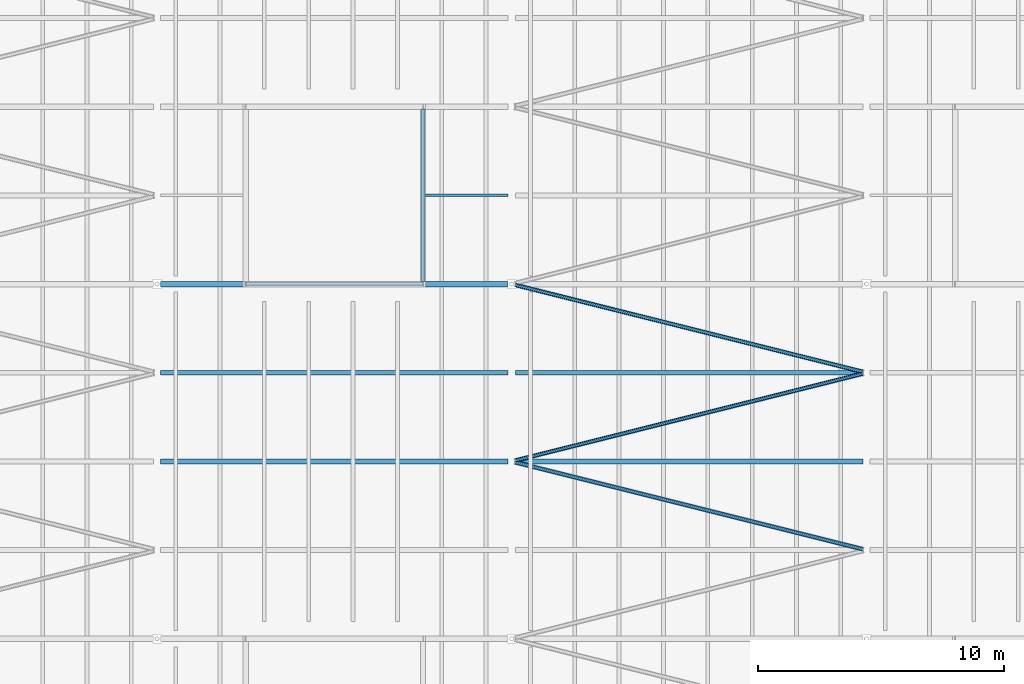
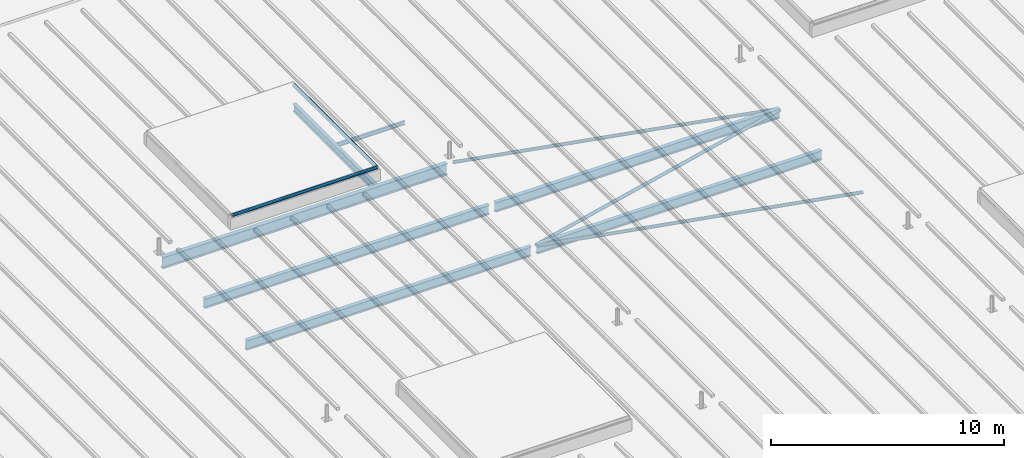
# One storey, part 29 of 120: 7 beams, 5 members.
"""IFC4 building model written with IfcOpenShell, lengths in metres."""

import ifcopenshell
import ifcopenshell.guid

model = None  # the IFC model being written
_history = None  # IfcOwnerHistory: only IFC2X3 demands one
_inside = {}  # id of a spatial element -> (the spatial element, [elements in it])
_under = {}  # id of a project, library or spatial element -> (it, [spatial elements below it])
_declared = {}  # id of a project -> (the project, [libraries it declares])
_typed = {}  # id of a type object -> (the type object, [elements of that type])
_made_of = {}  # id of a material, layer set ... -> (it, [elements and type objects made of it])


def new_model(schema):
    """Start an empty IFC model of exactly this schema.

    Asked for "IFC4X3", IfcOpenShell would pick the latest addendum, in which some entities
    have other attributes; the version numbers below select the first issue.
    IFC2X3 requires an IfcOwnerHistory on every rooted entity: one is made here for all.
    """
    global model, _history
    if schema == "IFC4X3":
        model = ifcopenshell.file(schema_version=(4, 3, 0, 0))
    else:
        model = ifcopenshell.file(schema=schema)
    _inside.clear()
    _under.clear()
    _declared.clear()
    _typed.clear()
    _made_of.clear()
    _history = None
    if model.schema == "IFC2X3":
        org = make("IfcOrganization", Name="unknown")
        user = make(
            "IfcPersonAndOrganization",
            ThePerson=make("IfcPerson", FamilyName="unknown"),
            TheOrganization=org,
        )
        app = make(
            "IfcApplication",
            ApplicationDeveloper=org,
            Version="unknown",
            ApplicationFullName="unknown",
            ApplicationIdentifier="unknown",
        )
        _history = make(
            "IfcOwnerHistory",
            OwningUser=user,
            OwningApplication=app,
            ChangeAction="ADDED",
            CreationDate=0,
        )
    return model


def make(cls, **values):
    """One entity of the class cls with the attributes given. An attribute that is None is left unset."""
    return model.create_entity(
        cls, **{name: value for name, value in values.items() if value is not None}
    )


def rooted(cls, **values):
    """An entity with a GlobalId (a new one), such as an element, a storey or a relation."""
    return make(cls, GlobalId=ifcopenshell.guid.new(), OwnerHistory=_history, **values)


def si_unit(unit_type, name, prefix=None):
    """IfcSIUnit, for example si_unit("LENGTHUNIT", "METRE", prefix="MILLI")."""
    return make("IfcSIUnit", UnitType=unit_type, Prefix=prefix, Name=name)


def assignment(units):
    """IfcUnitAssignment: the units of a project."""
    return None if units is None else make("IfcUnitAssignment", Units=units)


def point(xyz):
    """IfcCartesianPoint."""
    return None if xyz is None else make("IfcCartesianPoint", Coordinates=xyz)


def direction(xyz):
    """IfcDirection."""
    return None if xyz is None else make("IfcDirection", DirectionRatios=xyz)


def frame(location, z_axis=None, x_axis=None):
    """IfcAxis2Placement3D, a coordinate frame: its origin and axes. An axis left out is left unset."""
    return make(
        "IfcAxis2Placement3D",
        Location=point(location),
        Axis=direction(z_axis),
        RefDirection=direction(x_axis),
    )


def frame_2d(location, x_axis=None):
    """IfcAxis2Placement2D, a coordinate frame in the plane: its origin and x axis."""
    return make(
        "IfcAxis2Placement2D", Location=point(location), RefDirection=direction(x_axis)
    )


def origin():
    """The frame at (0, 0, 0) with its axes left unset."""
    return frame((0.0, 0.0, 0.0))


def origin_2d():
    """The frame at (0, 0) in the plane with its x axis left unset."""
    return frame_2d((0.0, 0.0))


def place(relative_to, where):
    """IfcLocalPlacement: puts the frame where relative to a parent placement (None: the world)."""
    return make(
        "IfcLocalPlacement", PlacementRelTo=relative_to, RelativePlacement=where
    )


def context(
    kind, dimensions, precision=None, world=None, true_north=None, identifier=None
):
    """IfcGeometricRepresentationContext, for example the 3D "Model" context."""
    return make(
        "IfcGeometricRepresentationContext",
        ContextIdentifier=identifier,
        ContextType=kind,
        CoordinateSpaceDimension=dimensions,
        Precision=precision,
        WorldCoordinateSystem=world,
        TrueNorth=true_north,
    )


def subcontext(parent, identifier, kind, view, scale=None):
    """IfcGeometricRepresentationSubContext, for example "Body" below "Model"."""
    return make(
        "IfcGeometricRepresentationSubContext",
        ContextIdentifier=identifier,
        ContextType=kind,
        ParentContext=parent,
        TargetScale=scale,
        TargetView=view,
    )


def project(units=None, contexts=None):
    """IfcProject with its units and contexts."""
    return rooted(
        "IfcProject",
        Name="project",
        RepresentationContexts=contexts,
        UnitsInContext=assignment(units),
    )


def spatial(cls, under=None, at=None, **own):
    """A site, building, storey or space (cls), placed at a placement, below another one or the project."""
    s = rooted(cls, ObjectPlacement=at, **own)
    if under is not None:
        _under.setdefault(under.id(), (under, []))[1].append(s)
    return s


def profile(cls, at=None, kind="AREA", **sizes):
    """A parametric profile (cls). Its sizes go by their IFC names, for example OverallWidth=200.0."""
    return make(cls, ProfileType=kind, Position=at, **sizes)


def hollow_circle(**sizes):
    """IfcCircleHollowProfileDef."""
    return profile("IfcCircleHollowProfileDef", **sizes)


def i_section(**sizes):
    """IfcIShapeProfileDef."""
    return profile("IfcIShapeProfileDef", **sizes)


def extrude(swept, where, along, depth):
    """IfcExtrudedAreaSolid: the profile swept, set in the frame where, extruded along a direction by depth."""
    return make(
        "IfcExtrudedAreaSolid",
        SweptArea=swept,
        Position=where,
        ExtrudedDirection=direction(along),
        Depth=depth,
    )


def shape(context_of_items, identifier, shape_type, items):
    """IfcShapeRepresentation: the items that make up one representation, for example the "Body"."""
    return make(
        "IfcShapeRepresentation",
        ContextOfItems=context_of_items,
        RepresentationIdentifier=identifier,
        RepresentationType=shape_type,
        Items=items,
    )


def material(Name=None, Category=None):
    """IfcMaterial."""
    return make("IfcMaterial", Name=Name, Category=Category)


def material_profile(
    of_material, cross_section, Name=None, Category=None, Priority=None
):
    """IfcMaterialProfile: a cross section and its material."""
    return make(
        "IfcMaterialProfile",
        Name=Name,
        Material=of_material,
        Profile=cross_section,
        Priority=Priority,
        Category=Category,
    )


def profile_set(profiles, Name=None, composite=None):
    """IfcMaterialProfileSet."""
    return make(
        "IfcMaterialProfileSet",
        Name=Name,
        MaterialProfiles=profiles,
        CompositeProfile=composite,
    )


def made_of(thing, what):
    """Note that an element or type object is made of a material, layer set ...; save() writes the relation."""
    if what is not None:
        _made_of.setdefault(what.id(), (what, []))[1].append(thing)
    return thing


def type_object(cls, material=None, **own):
    """A type object (cls), such as IfcWallType, which elements share."""
    return made_of(rooted(cls, **own), material)


def element(
    cls,
    number,
    at=None,
    inside=None,
    cuts=None,
    type_object=None,
    material=None,
    context=None,
    identifier="Body",
    shape_type=None,
    held_by="IfcProductDefinitionShape",
    body=None,
    shapes=None,
    **own,
):
    """One element of the class cls, such as IfcWall. Its Tag is "e" and its number.

    at: its placement. inside: the storey or other place that contains it. cuts: it is an
    opening in that element (IfcRelVoidsElement). A single representation is given by context,
    identifier, shape_type and body (its items); several are given by shapes. held_by: the class
    of the entity that holds the representations. save() writes the other relations.
    """
    e = rooted(cls, Tag="e%d" % number, ObjectPlacement=at, **own)
    if body is not None:
        shapes = [shape(context, identifier, shape_type, body)]
    if shapes is not None:
        e.Representation = make(held_by, Representations=shapes)
    if inside is not None:
        _inside.setdefault(inside.id(), (inside, []))[1].append(e)
    if cuts is not None:
        rooted(
            "IfcRelVoidsElement", RelatingBuildingElement=cuts, RelatedOpeningElement=e
        )
    if type_object is not None:
        _typed.setdefault(type_object.id(), (type_object, []))[1].append(e)
    return made_of(e, material)


def aggregate(whole, parts):
    """IfcRelAggregates: a whole, such as a stair, and the parts it consists of."""
    return rooted("IfcRelAggregates", RelatingObject=whole, RelatedObjects=parts)


def save(model, path):
    """Write the relations noted so far, then the file.

    IfcRelAggregates (storeys below a building ...), IfcRelContainedInSpatialStructure (elements
    in a storey), IfcRelDefinesByType, IfcRelAssociatesMaterial and IfcRelDeclares: one each for
    every whole, place, type object, material and project.
    """
    for whole, parts in _under.values():
        aggregate(whole, parts)
    for where, things in _inside.values():
        rooted(
            "IfcRelContainedInSpatialStructure",
            RelatedElements=things,
            RelatingStructure=where,
        )
    for kind, things in _typed.values():
        rooted("IfcRelDefinesByType", RelatedObjects=things, RelatingType=kind)
    for what, things in _made_of.values():
        rooted("IfcRelAssociatesMaterial", RelatedObjects=things, RelatingMaterial=what)
    for by, libraries in _declared.values():
        rooted("IfcRelDeclares", RelatingContext=by, RelatedDefinitions=libraries)
    model.write(path)


model = new_model("IFC4")

# Units and contexts
model_context = context("Model", 3, precision=1e-05, world=origin(), true_north=direction((0.0, 1.0)))
body_context = subcontext(model_context, "Body", "Model", "MODEL_VIEW")
ifc_project = project(units=[si_unit("LENGTHUNIT", "METRE"), si_unit("AREAUNIT", "SQUARE_METRE"), si_unit("VOLUMEUNIT", "CUBIC_METRE"), si_unit("PLANEANGLEUNIT", "RADIAN"), si_unit("MASSUNIT", "GRAM", prefix="KILO")], contexts=[model_context])

# Site, building, storey
site_placement = place(None, origin())
site = spatial("IfcSite", under=ifc_project, at=site_placement, CompositionType="ELEMENT")
building_placement = place(site_placement, origin())
building = spatial("IfcBuilding", under=site, at=building_placement, Name="Kupolbacken Congress Centre", CompositionType="ELEMENT")
storey_placement = place(building_placement, frame((0.0, 0.0, 21.60009765625)))
storey = spatial("IfcBuildingStorey", under=building, at=storey_placement, Name="L06", CompositionType="ELEMENT", Elevation=21.60009765625)

# Beams
ifc_material_1 = material(Name="Steel S355", Category="steel")
ifc_material_profile_1 = material_profile(ifc_material_1, i_section(OverallWidth=0.10009765625, OverallDepth=0.199951171875, WebThickness=0.005615234375, FlangeThickness=0.008544921875, FilletRadius=0.011962890625, at=origin_2d()), Name="IPE 200")
ifc_profile_set_1 = profile_set([ifc_material_profile_1], Name="Steel S355")
beam_type_1 = type_object("IfcBeamType", Name="B01 beam IPE 200", PredefinedType="BEAM", material=ifc_profile_set_1)
beam_1_placement = place(storey_placement, frame((118.89990234375, 100.800048828125, -0.10009765625), z_axis=(1.0, 0.0, 0.0), x_axis=(0.0, 1.0, 0.0)))
element("IfcBeam", 1, at=beam_1_placement, inside=storey, type_object=beam_type_1, Name="HR/P16-02-1", PredefinedType="BEAM", context=body_context, shape_type="SweptSolid", body=[
    extrude(i_section(OverallWidth=0.10009765625, OverallDepth=0.199951171875, WebThickness=0.005615234375, FlangeThickness=0.008544921875, FilletRadius=0.011962890625, at=origin_2d()), origin(), (0.0, 0.0, 1.0), 3.35498046875),
])
ifc_material_2 = material(Name="Steel S355", Category="steel")
ifc_material_profile_2 = material_profile(ifc_material_2, i_section(OverallWidth=0.179931640625, OverallDepth=0.39990234375, WebThickness=0.008544921875, FlangeThickness=0.013427734375, FilletRadius=0.02099609375, at=origin_2d()), Name="IPE 400")
ifc_profile_set_2 = profile_set([ifc_material_profile_2], Name="Steel S355")
beam_type_2 = type_object("IfcBeamType", Name="B07 beam IPE 400", PredefinedType="BEAM", material=ifc_profile_set_2)
beam_2_placement = place(storey_placement, frame((118.800048828125, 97.300048828125, -0.2001953125), z_axis=(0.0, 1.0, 0.0), x_axis=(-1.0, 0.0, 0.0)))
element("IfcBeam", 2, at=beam_2_placement, inside=storey, type_object=beam_type_2, Name="HR/CT3E", PredefinedType="BEAM", context=body_context, shape_type="SweptSolid", body=[
    extrude(i_section(OverallWidth=0.179931640625, OverallDepth=0.39990234375, WebThickness=0.008544921875, FlangeThickness=0.013427734375, FilletRadius=0.02099609375, at=origin_2d()), origin(), (0.0, 0.0, 1.0), 7.0),
])
ifc_material_3 = material(Name="Steel S355", Category="steel")
ifc_material_profile_3 = material_profile(ifc_material_3, i_section(OverallWidth=0.199951171875, OverallDepth=0.5, WebThickness=0.01025390625, FlangeThickness=0.01611328125, FilletRadius=0.02099609375, at=origin_2d()), Name="IPE 500")
ifc_profile_set_3 = profile_set([ifc_material_profile_3], Name="Steel S355")
beam_type_3 = type_object("IfcBeamType", Name="B09 beam IPE 500", PredefinedType="BEAM", material=ifc_profile_set_3)
beam_3_placement = place(storey_placement, frame((108.14501953125, 90.0, -0.25), z_axis=(1.0, 0.0, 0.0), x_axis=(0.0, 1.0, 0.0)))
element("IfcBeam", 3, at=beam_3_placement, inside=storey, type_object=beam_type_3, Name="HR/P13-02", PredefinedType="BEAM", context=body_context, shape_type="SweptSolid", body=[
    extrude(i_section(OverallWidth=0.199951171875, OverallDepth=0.5, WebThickness=0.01025390625, FlangeThickness=0.01611328125, FilletRadius=0.02099609375, at=origin_2d()), origin(), (0.0, 0.0, 1.0), 14.10986328125),
])
beam_4_placement = place(storey_placement, frame((122.544921875, 90.0, -0.25), z_axis=(1.0, 0.0, 0.0), x_axis=(0.0, 1.0, 0.0)))
element("IfcBeam", 4, at=beam_4_placement, inside=storey, type_object=beam_type_3, Name="HR/P13-03", PredefinedType="BEAM", context=body_context, shape_type="SweptSolid", body=[
    extrude(i_section(OverallWidth=0.199951171875, OverallDepth=0.5, WebThickness=0.01025390625, FlangeThickness=0.01611328125, FilletRadius=0.02099609375, at=origin_2d()), origin(), (0.0, 0.0, 1.0), 14.110107421875),
])
beam_5_placement = place(storey_placement, frame((108.14501953125, 93.60009765625, -0.25), z_axis=(1.0, 0.0, 0.0), x_axis=(0.0, 1.0, 0.0)))
element("IfcBeam", 5, at=beam_5_placement, inside=storey, type_object=beam_type_3, Name="HR/P14-02", PredefinedType="BEAM", context=body_context, shape_type="SweptSolid", body=[
    extrude(i_section(OverallWidth=0.199951171875, OverallDepth=0.5, WebThickness=0.01025390625, FlangeThickness=0.01611328125, FilletRadius=0.02099609375, at=origin_2d()), origin(), (0.0, 0.0, 1.0), 14.10986328125),
])
beam_6_placement = place(storey_placement, frame((122.544921875, 93.60009765625, -0.25), z_axis=(1.0, 0.0, 0.0), x_axis=(0.0, 1.0, 0.0)))
element("IfcBeam", 6, at=beam_6_placement, inside=storey, type_object=beam_type_3, Name="HR/P14-03", PredefinedType="BEAM", context=body_context, shape_type="SweptSolid", body=[
    extrude(i_section(OverallWidth=0.199951171875, OverallDepth=0.5, WebThickness=0.01025390625, FlangeThickness=0.01611328125, FilletRadius=0.02099609375, at=origin_2d()), origin(), (0.0, 0.0, 1.0), 14.110107421875),
])
ifc_material_4 = material(Name="Steel S355", Category="steel")
ifc_material_profile_4 = material_profile(ifc_material_4, i_section(OverallWidth=0.219970703125, OverallDepth=0.60009765625, WebThickness=0.011962890625, FlangeThickness=0.01904296875, FilletRadius=0.02392578125, at=origin_2d()), Name="IPE 600")
ifc_profile_set_4 = profile_set([ifc_material_profile_4], Name="Steel S355")
beam_type_4 = type_object("IfcBeamType", Name="B11 beam IPE 600", PredefinedType="BEAM", material=ifc_profile_set_4)
beam_7_placement = place(storey_placement, frame((108.14501953125, 97.199951171875, -0.300048828125), z_axis=(1.0, 0.0, 0.0), x_axis=(0.0, 1.0, 0.0)))
element("IfcBeam", 7, at=beam_7_placement, inside=storey, type_object=beam_type_4, Name="HR/X15-02", PredefinedType="BEAM", context=body_context, shape_type="SweptSolid", body=[
    extrude(i_section(OverallWidth=0.219970703125, OverallDepth=0.60009765625, WebThickness=0.011962890625, FlangeThickness=0.01904296875, FilletRadius=0.02392578125, at=origin_2d()), origin(), (0.0, 0.0, 1.0), 14.10986328125),
])

# Members
ifc_material_5 = material(Name="Steel S355", Category="steel")
ifc_material_profile_5 = material_profile(ifc_material_5, hollow_circle(Radius=0.084228515625, WallThickness=0.008056640625, at=origin_2d()), Name="CHS 168.3 x 8")
ifc_profile_set_5 = profile_set([ifc_material_profile_5], Name="Steel S355")
member_type = type_object("IfcMemberType", Name="M21 brace CHS 168.3 x 8", PredefinedType="BRACE", material=ifc_profile_set_5)
for number, where, z_axis, x_axis, name in (
    (8, (136.659423828125, 86.43505859375, -0.084228515625), (-0.970140526498, 0.24254351949, 0.0), (-0.24254351949, -0.970140526498, 0.0), "HR/RB/03-12"),
    (9, (122.540771484375, 90.03515625, -0.084228515625), (0.970140526498, 0.24254351949, 0.0), (-0.24254351949, 0.970140526498, 0.0), "HR/RB/03-13"),
    (10, (136.659423828125, 93.63525390625, -0.084228515625), (-0.970144473737, 0.242527730535, 0.0), (-0.242527730535, -0.970144473737, 0.0), "HR/RB/03-14"),
):
    element("IfcMember", number, at=place(storey_placement, frame(where, z_axis=z_axis, x_axis=x_axis)), inside=storey, type_object=member_type, Name=name, PredefinedType="BRACE", context=body_context, shape_type="SweptSolid", body=[
        extrude(hollow_circle(Radius=0.084228515625, WallThickness=0.008056640625, at=origin_2d()), origin(), (0.0, 0.0, 1.0), 14.55322265625),
    ])
member_1_placement = place(storey_placement, frame((111.60009765625, 97.199951171875, 0.944091796875), z_axis=(1.0, 0.0, 0.0), x_axis=(0.0, 1.0, 0.0)))
element("IfcMember", 11, at=member_1_placement, inside=storey, type_object=member_type, Name="RD/RL3/FS", PredefinedType="BRACE", context=body_context, shape_type="SweptSolid", body=[
    extrude(hollow_circle(Radius=0.084228515625, WallThickness=0.008056640625, at=origin_2d()), origin(), (0.0, 0.0, 1.0), 7.199951171875),
])
member_2_placement = place(storey_placement, frame((118.800048828125, 97.274169921875, 0.944091796875), z_axis=(0.0, 1.0, 0.0), x_axis=(-1.0, 0.0, 0.0)))
element("IfcMember", 12, at=member_2_placement, inside=storey, type_object=member_type, Name="RD/RL3/FE", PredefinedType="BRACE", context=body_context, shape_type="SweptSolid", body=[
    extrude(hollow_circle(Radius=0.084228515625, WallThickness=0.008056640625, at=origin_2d()), origin(), (0.0, 0.0, 1.0), 7.0517578125),
])

save(model, "model.ifc")
